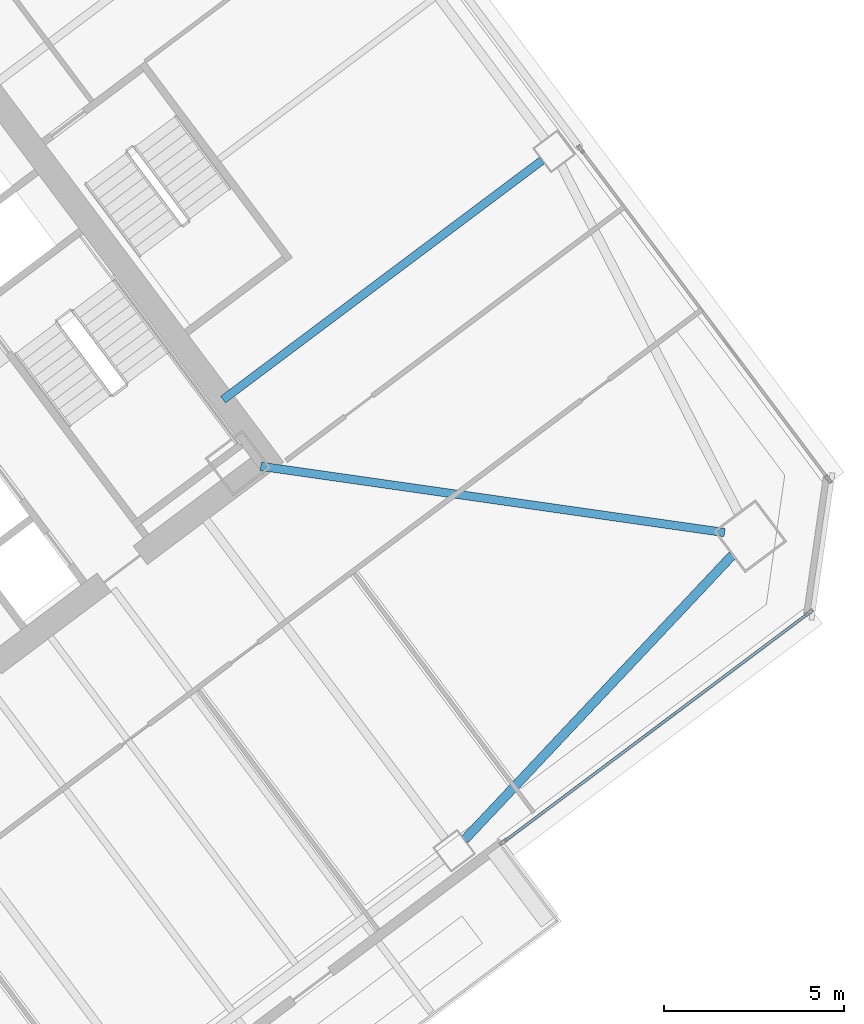
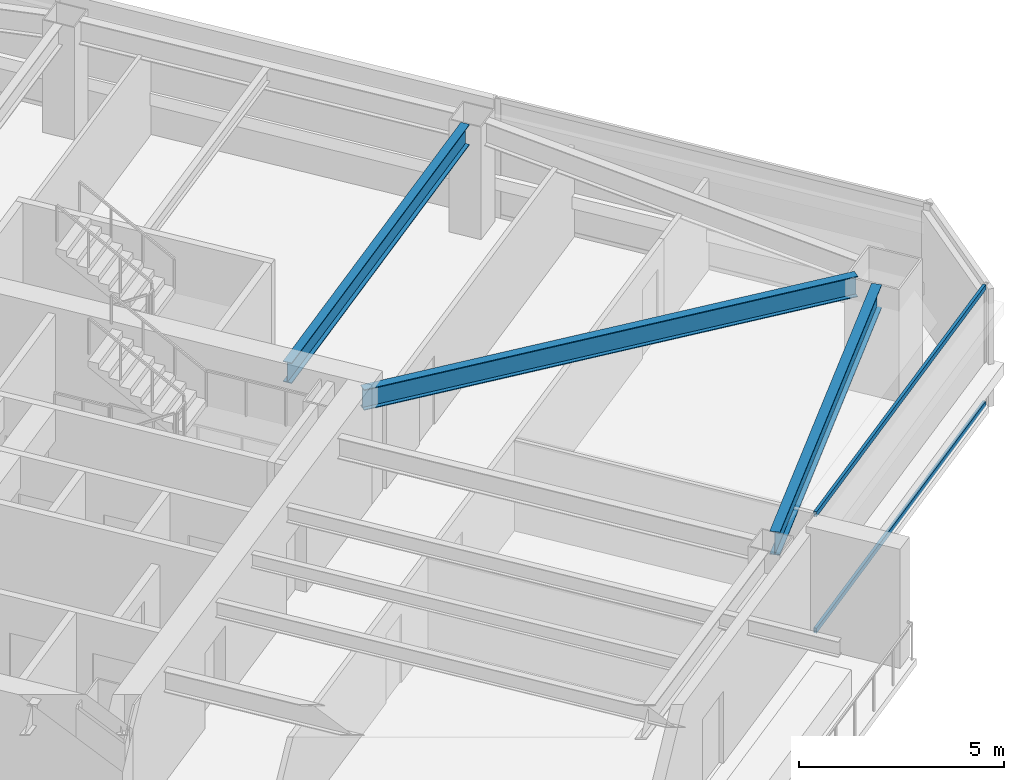
# One storey, part 25 of 44: 3 beams, 2 members, 1 element without a shape of its own.
"""IFC4 building model written with IfcOpenShell, lengths in metres."""

from ifc_helpers import new_model, si_unit, direction, frame, origin, origin_2d, place, context, subcontext, project, spatial, hollow_rectangle, i_section, extrude, material, material_profile, profile_set, type_object, element, aggregate, save


model = new_model("IFC4")

# Units and contexts
model_context = context("Model", 3, precision=1e-05, world=origin(), true_north=direction((0.0, 1.0)))
body_context = subcontext(model_context, "Body", "Model", "MODEL_VIEW")
ifc_project = project(units=[si_unit("LENGTHUNIT", "METRE"), si_unit("AREAUNIT", "SQUARE_METRE"), si_unit("VOLUMEUNIT", "CUBIC_METRE"), si_unit("PLANEANGLEUNIT", "RADIAN"), si_unit("MASSUNIT", "GRAM", prefix="KILO")], contexts=[model_context])

# Site, building, storey
site_placement = place(None, origin())
site = spatial("IfcSite", under=ifc_project, at=site_placement, CompositionType="ELEMENT")
building_placement = place(site_placement, origin())
building = spatial("IfcBuilding", under=site, at=building_placement, Name="Tashvorn Skyway Center", CompositionType="ELEMENT")
storey_placement = place(building_placement, frame((0.0, 0.0, 102.699951171875)))
storey = spatial("IfcBuildingStorey", under=building, at=storey_placement, Name="L27", CompositionType="ELEMENT", Elevation=102.699951171875)

# Beams
ifc_material_1 = material(Name="Steel ASTM A992 Grade 50", Category="steel")
ifc_material_profile_1 = material_profile(ifc_material_1, i_section(OverallWidth=0.22998046875, OverallDepth=0.616943359375, WebThickness=0.01318359375, FlangeThickness=0.022216796875, at=origin_2d()), Name="W24X94")
ifc_profile_set_1 = profile_set([ifc_material_profile_1], Name="Steel ASTM A992 Grade 50")
beam_type_1 = type_object("IfcBeamType", Name="BM-BEAM-W24X94", PredefinedType="BEAM", material=ifc_profile_set_1)
beam_1_placement = place(storey_placement, frame((137.3671875, 28.661865234375, 3.04150390625), z_axis=(-0.989949869571, 0.141418724841, 0.0), x_axis=(-0.141418724841, -0.989949869571, 0.0)))
element("IfcBeam", 1, at=beam_1_placement, inside=storey, type_object=beam_type_1, Name="Tower 2 L27 Primary Floor Girder MC-SE", PredefinedType="BEAM", context=body_context, shape_type="SweptSolid", body=[
    extrude(i_section(OverallWidth=0.22998046875, OverallDepth=0.616943359375, WebThickness=0.01318359375, FlangeThickness=0.022216796875, at=origin_2d()), origin(), (0.0, 0.0, 1.0), 12.9892578125),
])
beam_2_placement = place(storey_placement, frame((132.303955078125, 38.97802734375, 3.04150390625), z_axis=(-0.799989394625, -0.60001414024, 0.0), x_axis=(0.60001414024, -0.799989394625, 0.0)))
element("IfcBeam", 2, at=beam_2_placement, inside=storey, type_object=beam_type_1, Name="Tower 2 L27 Primary Floor Girder FC-E1", PredefinedType="BEAM", context=body_context, shape_type="SweptSolid", body=[
    extrude(i_section(OverallWidth=0.22998046875, OverallDepth=0.616943359375, WebThickness=0.01318359375, FlangeThickness=0.022216796875, at=origin_2d()), origin(), (0.0, 0.0, 1.0), 11.050048828125),
])
ifc_material_profile_2 = material_profile(ifc_material_1, i_section(OverallWidth=0.256103515625, OverallDepth=0.693115234375, WebThickness=0.014404296875, FlangeThickness=0.023681640625, at=origin_2d()), Name="W27X114")
ifc_profile_set_2 = profile_set([ifc_material_profile_2], Name="Steel ASTM A992 Grade 50")
beam_type_2 = type_object("IfcBeamType", Name="BM-SPANDREL-W27X114", PredefinedType="SPANDREL", material=ifc_profile_set_2)
beam_3_placement = place(storey_placement, frame((130.157958984375, 20.145751953125, 3.003662109375), z_axis=(0.685484857238, 0.728086883893, 0.0), x_axis=(-0.728086883893, 0.685484857238, 0.0)))
element("IfcBeam", 3, at=beam_3_placement, inside=storey, type_object=beam_type_2, Name="Tower 2 L27 Spandrel Beam 03", PredefinedType="SPANDREL", context=body_context, shape_type="SweptSolid", body=[
    extrude(i_section(OverallWidth=0.256103515625, OverallDepth=0.693115234375, WebThickness=0.014404296875, FlangeThickness=0.023681640625, at=origin_2d()), origin(), (0.0, 0.0, 1.0), 10.8369140625),
])

# Curtain wall, members
ifc_material_2 = material(Name="Thermally broken bronze-anodized aluminium 6063-T6", Category="aluminium")
curtain_wall_type = type_object("IfcCurtainWallType", Name="CW-CW-Z2", PredefinedType="NOTDEFINED", material=ifc_material_2)
curtain_wall_placement = place(storey_placement, origin())
curtain_wall = element("IfcCurtainWall", 4, at=curtain_wall_placement, inside=storey, type_object=curtain_wall_type, Name="Tower 2 L27 South Curtain Wall L", PredefinedType="NOTDEFINED")
ifc_material_profile_3 = material_profile(ifc_material_2, hollow_rectangle(XDim=0.080078125, YDim=0.14990234375, WallThickness=0.00439453125, at=origin_2d()), Name="ALU-TRAN-80x150")
ifc_profile_set_3 = profile_set([ifc_material_profile_3], Name="Thermally broken bronze-anodized aluminium 6063-T6")
member_type = type_object("IfcMemberType", Name="CWT-CW-Z2", PredefinedType="USERDEFINED", material=ifc_profile_set_3)
member_1_placement = place(storey_placement, frame((139.68798828125, 26.416015625, 0.0400390625), z_axis=(-0.8, -0.6, 0.0), x_axis=(0.6, -0.8, 0.0)))
member_1 = element("IfcMember", 5, at=member_1_placement, type_object=member_type, Name="CW-Z2 transom 1.1", ObjectType="TRANSOM", PredefinedType="USERDEFINED", context=body_context, shape_type="SweptSolid", body=[
    extrude(hollow_rectangle(XDim=0.080078125, YDim=0.14990234375, WallThickness=0.00439453125, at=origin_2d()), origin(), (0.0, 0.0, 1.0), 10.52001953125),
])
member_2_placement = place(storey_placement, frame((139.68798828125, 26.416015625, 3.510009765625), z_axis=(-0.8, -0.6, 0.0), x_axis=(0.6, -0.8, 0.0)))
member_2 = element("IfcMember", 6, at=member_2_placement, type_object=member_type, Name="CW-Z2 transom 1.2", ObjectType="TRANSOM", PredefinedType="USERDEFINED", context=body_context, shape_type="SweptSolid", body=[
    extrude(hollow_rectangle(XDim=0.080078125, YDim=0.14990234375, WallThickness=0.00439453125, at=origin_2d()), origin(), (0.0, 0.0, 1.0), 10.52001953125),
])
aggregate(curtain_wall, [member_1, member_2])

save(model, "model.ifc")
